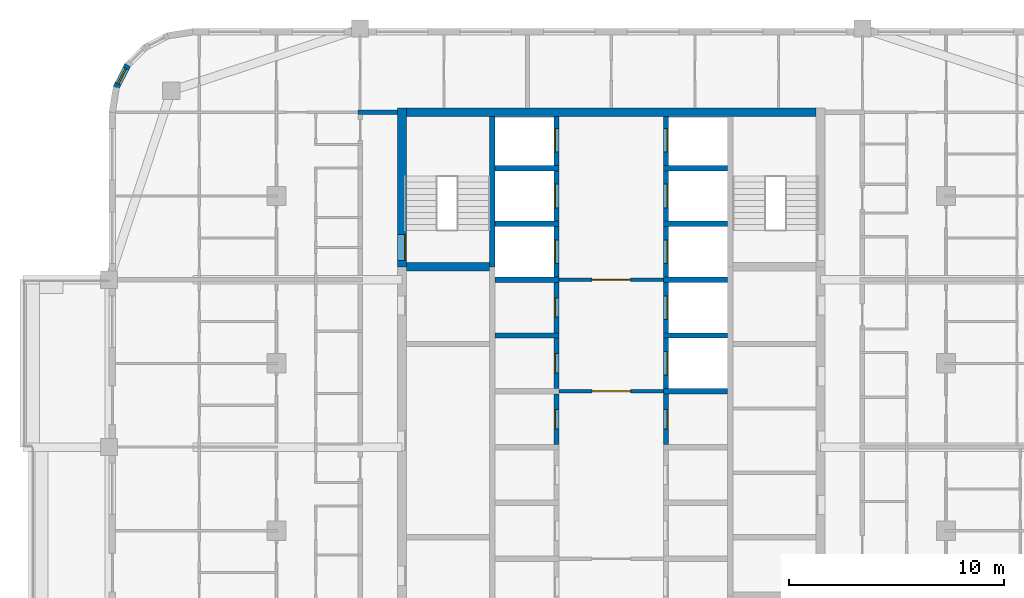
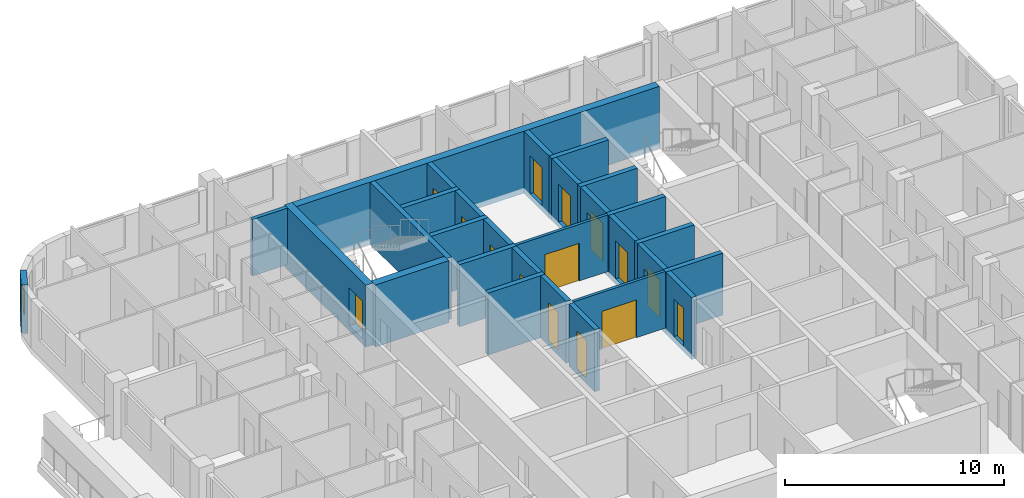
# One storey, part 9 of 15: 29 walls, 15 doors, 1 window, 16 openings.
"""IFC4 building model written with IfcOpenShell, lengths in metres."""

import ifcopenshell
import ifcopenshell.guid

model = None  # the IFC model being written
_history = None  # IfcOwnerHistory: only IFC2X3 demands one
_inside = {}  # id of a spatial element -> (the spatial element, [elements in it])
_under = {}  # id of a project, library or spatial element -> (it, [spatial elements below it])
_declared = {}  # id of a project -> (the project, [libraries it declares])
_typed = {}  # id of a type object -> (the type object, [elements of that type])
_made_of = {}  # id of a material, layer set ... -> (it, [elements and type objects made of it])


def new_model(schema):
    """Start an empty IFC model of exactly this schema.

    Asked for "IFC4X3", IfcOpenShell would pick the latest addendum, in which some entities
    have other attributes; the version numbers below select the first issue.
    IFC2X3 requires an IfcOwnerHistory on every rooted entity: one is made here for all.
    """
    global model, _history
    if schema == "IFC4X3":
        model = ifcopenshell.file(schema_version=(4, 3, 0, 0))
    else:
        model = ifcopenshell.file(schema=schema)
    _inside.clear()
    _under.clear()
    _declared.clear()
    _typed.clear()
    _made_of.clear()
    _history = None
    if model.schema == "IFC2X3":
        org = make("IfcOrganization", Name="unknown")
        user = make(
            "IfcPersonAndOrganization",
            ThePerson=make("IfcPerson", FamilyName="unknown"),
            TheOrganization=org,
        )
        app = make(
            "IfcApplication",
            ApplicationDeveloper=org,
            Version="unknown",
            ApplicationFullName="unknown",
            ApplicationIdentifier="unknown",
        )
        _history = make(
            "IfcOwnerHistory",
            OwningUser=user,
            OwningApplication=app,
            ChangeAction="ADDED",
            CreationDate=0,
        )
    return model


def make(cls, **values):
    """One entity of the class cls with the attributes given. An attribute that is None is left unset."""
    return model.create_entity(
        cls, **{name: value for name, value in values.items() if value is not None}
    )


def rooted(cls, **values):
    """An entity with a GlobalId (a new one), such as an element, a storey or a relation."""
    return make(cls, GlobalId=ifcopenshell.guid.new(), OwnerHistory=_history, **values)


def si_unit(unit_type, name, prefix=None):
    """IfcSIUnit, for example si_unit("LENGTHUNIT", "METRE", prefix="MILLI")."""
    return make("IfcSIUnit", UnitType=unit_type, Prefix=prefix, Name=name)


def assignment(units):
    """IfcUnitAssignment: the units of a project."""
    return None if units is None else make("IfcUnitAssignment", Units=units)


def point(xyz):
    """IfcCartesianPoint."""
    return None if xyz is None else make("IfcCartesianPoint", Coordinates=xyz)


def direction(xyz):
    """IfcDirection."""
    return None if xyz is None else make("IfcDirection", DirectionRatios=xyz)


def frame(location, z_axis=None, x_axis=None):
    """IfcAxis2Placement3D, a coordinate frame: its origin and axes. An axis left out is left unset."""
    return make(
        "IfcAxis2Placement3D",
        Location=point(location),
        Axis=direction(z_axis),
        RefDirection=direction(x_axis),
    )


def frame_2d(location, x_axis=None):
    """IfcAxis2Placement2D, a coordinate frame in the plane: its origin and x axis."""
    return make(
        "IfcAxis2Placement2D", Location=point(location), RefDirection=direction(x_axis)
    )


def origin():
    """The frame at (0, 0, 0) with its axes left unset."""
    return frame((0.0, 0.0, 0.0))


def place(relative_to, where):
    """IfcLocalPlacement: puts the frame where relative to a parent placement (None: the world)."""
    return make(
        "IfcLocalPlacement", PlacementRelTo=relative_to, RelativePlacement=where
    )


def context(
    kind, dimensions, precision=None, world=None, true_north=None, identifier=None
):
    """IfcGeometricRepresentationContext, for example the 3D "Model" context."""
    return make(
        "IfcGeometricRepresentationContext",
        ContextIdentifier=identifier,
        ContextType=kind,
        CoordinateSpaceDimension=dimensions,
        Precision=precision,
        WorldCoordinateSystem=world,
        TrueNorth=true_north,
    )


def subcontext(parent, identifier, kind, view, scale=None):
    """IfcGeometricRepresentationSubContext, for example "Body" below "Model"."""
    return make(
        "IfcGeometricRepresentationSubContext",
        ContextIdentifier=identifier,
        ContextType=kind,
        ParentContext=parent,
        TargetScale=scale,
        TargetView=view,
    )


def project(units=None, contexts=None):
    """IfcProject with its units and contexts."""
    return rooted(
        "IfcProject",
        Name="project",
        RepresentationContexts=contexts,
        UnitsInContext=assignment(units),
    )


def spatial(cls, under=None, at=None, **own):
    """A site, building, storey or space (cls), placed at a placement, below another one or the project."""
    s = rooted(cls, ObjectPlacement=at, **own)
    if under is not None:
        _under.setdefault(under.id(), (under, []))[1].append(s)
    return s


def profile(cls, at=None, kind="AREA", **sizes):
    """A parametric profile (cls). Its sizes go by their IFC names, for example OverallWidth=200.0."""
    return make(cls, ProfileType=kind, Position=at, **sizes)


def rectangle(**sizes):
    """IfcRectangleProfileDef."""
    return profile("IfcRectangleProfileDef", **sizes)


def extrude(swept, where, along, depth):
    """IfcExtrudedAreaSolid: the profile swept, set in the frame where, extruded along a direction by depth."""
    return make(
        "IfcExtrudedAreaSolid",
        SweptArea=swept,
        Position=where,
        ExtrudedDirection=direction(along),
        Depth=depth,
    )


def shape(context_of_items, identifier, shape_type, items):
    """IfcShapeRepresentation: the items that make up one representation, for example the "Body"."""
    return make(
        "IfcShapeRepresentation",
        ContextOfItems=context_of_items,
        RepresentationIdentifier=identifier,
        RepresentationType=shape_type,
        Items=items,
    )


def material(Name=None, Category=None):
    """IfcMaterial."""
    return make("IfcMaterial", Name=Name, Category=Category)


def layer(
    of_material, thickness, ventilated=None, Name=None, Category=None, Priority=None
):
    """IfcMaterialLayer: one layer of a wall or slab, of a material (None: an air gap)."""
    return make(
        "IfcMaterialLayer",
        Material=of_material,
        LayerThickness=thickness,
        IsVentilated=ventilated,
        Name=Name,
        Category=Category,
        Priority=Priority,
    )


def layer_set(layers, Name=None):
    """IfcMaterialLayerSet."""
    return make("IfcMaterialLayerSet", MaterialLayers=layers, LayerSetName=Name)


def made_of(thing, what):
    """Note that an element or type object is made of a material, layer set ...; save() writes the relation."""
    if what is not None:
        _made_of.setdefault(what.id(), (what, []))[1].append(thing)
    return thing


def type_object(cls, material=None, **own):
    """A type object (cls), such as IfcWallType, which elements share."""
    return made_of(rooted(cls, **own), material)


def element(
    cls,
    number,
    at=None,
    inside=None,
    cuts=None,
    type_object=None,
    material=None,
    context=None,
    identifier="Body",
    shape_type=None,
    held_by="IfcProductDefinitionShape",
    body=None,
    shapes=None,
    **own,
):
    """One element of the class cls, such as IfcWall. Its Tag is "e" and its number.

    at: its placement. inside: the storey or other place that contains it. cuts: it is an
    opening in that element (IfcRelVoidsElement). A single representation is given by context,
    identifier, shape_type and body (its items); several are given by shapes. held_by: the class
    of the entity that holds the representations. save() writes the other relations.
    """
    e = rooted(cls, Tag="e%d" % number, ObjectPlacement=at, **own)
    if body is not None:
        shapes = [shape(context, identifier, shape_type, body)]
    if shapes is not None:
        e.Representation = make(held_by, Representations=shapes)
    if inside is not None:
        _inside.setdefault(inside.id(), (inside, []))[1].append(e)
    if cuts is not None:
        rooted(
            "IfcRelVoidsElement", RelatingBuildingElement=cuts, RelatedOpeningElement=e
        )
    if type_object is not None:
        _typed.setdefault(type_object.id(), (type_object, []))[1].append(e)
    return made_of(e, material)


def fill(opening, filler):
    """IfcRelFillsElement: the door or window that sits in an opening."""
    return rooted(
        "IfcRelFillsElement",
        RelatingOpeningElement=opening,
        RelatedBuildingElement=filler,
    )


def aggregate(whole, parts):
    """IfcRelAggregates: a whole, such as a stair, and the parts it consists of."""
    return rooted("IfcRelAggregates", RelatingObject=whole, RelatedObjects=parts)


def save(model, path):
    """Write the relations noted so far, then the file.

    IfcRelAggregates (storeys below a building ...), IfcRelContainedInSpatialStructure (elements
    in a storey), IfcRelDefinesByType, IfcRelAssociatesMaterial and IfcRelDeclares: one each for
    every whole, place, type object, material and project.
    """
    for whole, parts in _under.values():
        aggregate(whole, parts)
    for where, things in _inside.values():
        rooted(
            "IfcRelContainedInSpatialStructure",
            RelatedElements=things,
            RelatingStructure=where,
        )
    for kind, things in _typed.values():
        rooted("IfcRelDefinesByType", RelatedObjects=things, RelatingType=kind)
    for what, things in _made_of.values():
        rooted("IfcRelAssociatesMaterial", RelatedObjects=things, RelatingMaterial=what)
    for by, libraries in _declared.values():
        rooted("IfcRelDeclares", RelatingContext=by, RelatedDefinitions=libraries)
    model.write(path)


model = new_model("IFC4")

# Units and contexts
model_context = context("Model", 3, precision=1e-05, world=origin(), true_north=direction((0.0, 1.0)))
body_context = subcontext(model_context, "Body", "Model", "MODEL_VIEW")
ifc_project = project(units=[si_unit("LENGTHUNIT", "METRE"), si_unit("AREAUNIT", "SQUARE_METRE"), si_unit("VOLUMEUNIT", "CUBIC_METRE"), si_unit("PLANEANGLEUNIT", "RADIAN"), si_unit("MASSUNIT", "GRAM", prefix="KILO")], contexts=[model_context])

# Site, building, storey
site_placement = place(None, origin())
site = spatial("IfcSite", under=ifc_project, at=site_placement, CompositionType="ELEMENT")
building_placement = place(site_placement, origin())
building = spatial("IfcBuilding", under=site, at=building_placement, Name="Ludao Terraces", CompositionType="ELEMENT")
storey_placement = place(building_placement, frame((0.0, 0.0, 197.300048828125)))
storey = spatial("IfcBuildingStorey", under=building, at=storey_placement, Name="L53", CompositionType="ELEMENT", Elevation=197.300048828125)

# Wall, opening, door
ifc_material_1 = material(Name="Concrete C50", Category="concrete")
ifc_layer_1 = layer(ifc_material_1, 0.39990234375)
ifc_layer_set_1 = layer_set([ifc_layer_1], Name="Core wall 400 C50")
wall_type_1 = type_object("IfcWallType", Name="Core wall 400 C50", PredefinedType="SOLIDWALL", material=ifc_layer_set_1)
wall_1_placement = place(storey_placement, frame((75.25, 77.300048828125, -0.300048828125), z_axis=(0.0, 0.0, 1.0), x_axis=(0.0, 1.0, 0.0)))
wall_1 = element("IfcWall", 1, at=wall_1_placement, inside=storey, type_object=wall_type_1, Name="Core wall L53 outer-W-S1", PredefinedType="SOLIDWALL", context=body_context, shape_type="SweptSolid", body=[
    extrude(rectangle(XDim=7.39990234375, YDim=0.39990234375, at=frame_2d((3.699951171875, 0.0))), origin(), (0.0, 0.0, 1.0), 3.449951171875),
])
opening_1_placement = place(wall_1_placement, frame((0.300048828125, 0.0, 0.300048828125)))
opening_1 = element("IfcOpeningElement", 2, at=opening_1_placement, cuts=wall_1, Name="Opening R19-114", PredefinedType="OPENING", context=body_context, shape_type="SweptSolid", body=[
    extrude(rectangle(XDim=1.199951171875, YDim=2.10009765625, at=frame_2d((0.60009765625, 1.050048828125))), frame((0.0, 0.2099609375, 0.0), z_axis=(0.0, -1.0, 0.0), x_axis=(1.0, 0.0, 0.0)), (0.0, 0.0, 1.0), 0.419921875),
])
ifc_material_2 = material(Name="Steel Q235", Category="steel")
door_type_1 = type_object("IfcDoorType", Name="INT Stair door 1200", OperationType="DOUBLE_DOOR_SINGLE_SWING", PredefinedType="DOOR", material=ifc_material_2)
door_1_placement = place(opening_1_placement, origin())
door_1 = element("IfcDoor", 3, at=door_1_placement, inside=storey, type_object=door_type_1, Name="DOOR 114", OperationType="DOUBLE_DOOR_SINGLE_SWING", OverallHeight=2.10009765625, OverallWidth=1.199951171875, PredefinedType="DOOR", context=body_context, shape_type="SweptSolid", body=[
    extrude(rectangle(XDim=1.199951171875, YDim=2.10009765625, at=frame_2d((0.60009765625, 1.050048828125))), frame((0.0, -0.134765625, 0.0), z_axis=(0.0, -1.0, 0.0), x_axis=(1.0, 0.0, 0.0)), (0.0, 0.0, 1.0), 0.050048828125),
])
fill(opening_1, door_1)

# Wall
wall_2_placement = place(storey_placement, frame((75.449951171875, 84.5, -0.300048828125), z_axis=(0.0, 0.0, 1.0), x_axis=(1.0, 0.0, 0.0)))
element("IfcWall", 4, at=wall_2_placement, inside=storey, type_object=wall_type_1, Name="Core wall L53 outer-N", PredefinedType="SOLIDWALL", context=body_context, shape_type="SweptSolid", body=[
    extrude(rectangle(XDim=19.10009765625, YDim=0.39990234375, at=frame_2d((9.550048828125, 0.0))), origin(), (0.0, 0.0, 1.0), 3.449951171875),
])

# Wall, opening, window
ifc_material_3 = material(Name="Granite cladding", Category="masonry")
ifc_layer_2 = layer(ifc_material_3, 0.0400390625, Category="stone")
ifc_material_4 = material(Name="Mineral wool")
ifc_layer_3 = layer(ifc_material_4, 0.06005859375)
ifc_material_5 = material(Name="Concrete C40", Category="concrete")
ifc_layer_4 = layer(ifc_material_5, 0.199951171875, Category="concrete")
ifc_layer_set_2 = layer_set([ifc_layer_2, ifc_layer_3, ifc_layer_4], Name="ENV Stone-clad wall 300")
wall_type_2 = type_object("IfcWallType", Name="ENV Stone-clad wall 300", PredefinedType="SOLIDWALL", material=ifc_layer_set_2)
wall_3_placement = place(storey_placement, frame((62.46630859375, 86.7041015625, 0.0), z_axis=(0.0, 0.0, 1.0), x_axis=(-0.454025524128, -0.890988677504, 0.0)))
wall_3 = element("IfcWall", 5, at=wall_3_placement, inside=storey, type_object=wall_type_2, Name="EW-L53-NW4", PredefinedType="SOLIDWALL", context=body_context, shape_type="SweptSolid", body=[
    extrude(rectangle(XDim=1.17333984375, YDim=0.300048828125, at=frame_2d((0.586669921875, 0.0))), origin(), (0.0, 0.0, 1.0), 2.699951171875),
])
opening_2_placement = place(wall_3_placement, frame((0.1865234375, 0.0, 0.89990234375)))
opening_2 = element("IfcOpeningElement", 6, at=opening_2_placement, cuts=wall_3, Name="Opening W3", PredefinedType="OPENING", context=body_context, shape_type="SweptSolid", body=[
    extrude(rectangle(XDim=0.800048828125, YDim=1.199951171875, at=frame_2d((0.39990234375, 0.60009765625))), frame((0.0, 0.16015625, 0.0), z_axis=(0.0, -1.0, 0.0), x_axis=(1.0, 0.0, 0.0)), (0.0, 0.0, 1.0), 0.320068359375),
])
ifc_material_6 = material(Name="Clear glass in aluminium frame", Category="aluminium")
ifc_layer_5 = layer(ifc_material_6, 0.06005859375)
ifc_layer_set_3 = layer_set([ifc_layer_5], Name="ENV Window W3 800x1200")
window_type = type_object("IfcWindowType", Name="ENV Window W3 800x1200", PartitioningType="SINGLE_PANEL", PredefinedType="WINDOW", material=ifc_layer_set_3)
window_placement = place(opening_2_placement, origin())
window = element("IfcWindow", 7, at=window_placement, inside=storey, type_object=window_type, Name="W-L53-NW4", OverallHeight=1.199951171875, OverallWidth=0.800048828125, PartitioningType="SINGLE_PANEL", PredefinedType="WINDOW", context=body_context, shape_type="SweptSolid", body=[
    extrude(rectangle(XDim=0.800048828125, YDim=1.199951171875, at=frame_2d((0.39990234375, 0.60009765625))), frame((0.0, 0.030029296875, 0.0), z_axis=(0.0, -1.0, 0.0), x_axis=(1.0, 0.0, 0.0)), (0.0, 0.0, 1.0), 0.06005859375),
])
fill(opening_2, window)

# Wall, opening, door
ifc_material_7 = material(Name="Fire-rated gypsum plasterboard", Category="gypsum")
ifc_layer_6 = layer(ifc_material_7, 0.012451171875, Category="gypsum")
ifc_layer_7 = layer(ifc_material_4, 0.10009765625, Name="insulation")
ifc_layer_8 = layer(ifc_material_2, 0.02490234375, Name="stud")
ifc_layer_9 = layer(ifc_material_7, 0.012451171875, Category="gypsum")
ifc_layer_set_4 = layer_set([ifc_layer_6, ifc_layer_7, ifc_layer_8, ifc_layer_9], Name="INT Core partition 150")
wall_type_3 = type_object("IfcWallType", Name="INT Core partition 150", PredefinedType="PARTITIONING", material=ifc_layer_set_4)
wall_4_placement = place(storey_placement, frame((82.5751953125, 71.5, 0.0), z_axis=(0.0, 0.0, 1.0), x_axis=(1.0, 0.0, 0.0)))
wall_4 = element("IfcWall", 8, at=wall_4_placement, inside=storey, type_object=wall_type_3, Name="PW-L53-PW047", PredefinedType="PARTITIONING", context=body_context, shape_type="SweptSolid", body=[
    extrude(rectangle(XDim=4.849853515625, YDim=0.14990234375, at=frame_2d((2.4248046875, 0.0))), origin(), (0.0, 0.0, 1.0), 3.14990234375),
])
opening_3_placement = place(wall_4_placement, frame((1.52490234375, 0.0, 0.0)))
opening_3 = element("IfcOpeningElement", 9, at=opening_3_placement, cuts=wall_4, Name="Opening R19-086", PredefinedType="OPENING", context=body_context, shape_type="SweptSolid", body=[
    extrude(rectangle(XDim=1.800048828125, YDim=2.10009765625, at=frame_2d((0.89990234375, 1.050048828125))), frame((0.0, 0.0849609375, 0.0), z_axis=(0.0, -1.0, 0.0), x_axis=(1.0, 0.0, 0.0)), (0.0, 0.0, 1.0), 0.169921875),
])
door_type_2 = type_object("IfcDoorType", Name="INT Fire lobby door 1800", OperationType="DOUBLE_DOOR_SINGLE_SWING", PredefinedType="DOOR", material=ifc_material_2)
door_2_placement = place(opening_3_placement, origin())
door_2 = element("IfcDoor", 10, at=door_2_placement, inside=storey, type_object=door_type_2, Name="DOOR 086", OperationType="DOUBLE_DOOR_SINGLE_SWING", OverallHeight=2.10009765625, OverallWidth=1.800048828125, PredefinedType="DOOR", context=body_context, shape_type="SweptSolid", body=[
    extrude(rectangle(XDim=1.800048828125, YDim=2.10009765625, at=frame_2d((0.89990234375, 1.050048828125))), frame((0.0, 0.02490234375, 0.0), z_axis=(0.0, -1.0, 0.0), x_axis=(1.0, 0.0, 0.0)), (0.0, 0.0, 1.0), 0.050048828125),
])
fill(opening_3, door_2)

wall_5_placement = place(storey_placement, frame((82.5751953125, 76.699951171875, 0.0), z_axis=(0.0, 0.0, 1.0), x_axis=(1.0, 0.0, 0.0)))
wall_5 = element("IfcWall", 11, at=wall_5_placement, inside=storey, type_object=wall_type_3, Name="PW-L53-PW056", PredefinedType="PARTITIONING", context=body_context, shape_type="SweptSolid", body=[
    extrude(rectangle(XDim=4.849853515625, YDim=0.14990234375, at=frame_2d((2.4248046875, 0.0))), origin(), (0.0, 0.0, 1.0), 3.14990234375),
])
opening_4_placement = place(wall_5_placement, frame((1.52490234375, 0.0, 0.0)))
opening_4 = element("IfcOpeningElement", 12, at=opening_4_placement, cuts=wall_5, Name="Opening R19-107", PredefinedType="OPENING", context=body_context, shape_type="SweptSolid", body=[
    extrude(rectangle(XDim=1.800048828125, YDim=2.10009765625, at=frame_2d((0.89990234375, 1.050048828125))), frame((0.0, 0.0849609375, 0.0), z_axis=(0.0, -1.0, 0.0), x_axis=(1.0, 0.0, 0.0)), (0.0, 0.0, 1.0), 0.169921875),
])
door_3_placement = place(opening_4_placement, origin())
door_3 = element("IfcDoor", 13, at=door_3_placement, inside=storey, type_object=door_type_2, Name="DOOR 107", OperationType="DOUBLE_DOOR_SINGLE_SWING", OverallHeight=2.10009765625, OverallWidth=1.800048828125, PredefinedType="DOOR", context=body_context, shape_type="SweptSolid", body=[
    extrude(rectangle(XDim=1.800048828125, YDim=2.10009765625, at=frame_2d((0.89990234375, 1.050048828125))), frame((0.0, 0.02490234375, 0.0), z_axis=(0.0, -1.0, 0.0), x_axis=(1.0, 0.0, 0.0)), (0.0, 0.0, 1.0), 0.050048828125),
])
fill(opening_4, door_3)

# Walls
ifc_material_8 = material(Name="Autoclaved aerated concrete block B06 A3.5", Category="concrete")
ifc_layer_10 = layer(ifc_material_8, 0.199951171875)
ifc_layer_set_5 = layer_set([ifc_layer_10], Name="INT Entrance wall 200")
wall_type_4 = type_object("IfcWallType", Name="INT Entrance wall 200", PredefinedType="PARTITIONING", material=ifc_layer_set_5)
wall_6_placement = place(storey_placement, frame((73.2001953125, 84.5, 0.0), z_axis=(0.0, 0.0, 1.0), x_axis=(1.0, 0.0, 0.0)))
element("IfcWall", 14, at=wall_6_placement, inside=storey, type_object=wall_type_4, Name="PW-L53-PW072", PredefinedType="PARTITIONING", context=body_context, shape_type="SweptSolid", body=[
    extrude(rectangle(XDim=1.849853515625, YDim=0.199951171875, at=frame_2d((0.9248046875, 0.0))), origin(), (0.0, 0.0, 1.0), 3.14990234375),
])
ifc_layer_11 = layer(ifc_material_1, 0.25)
ifc_layer_set_6 = layer_set([ifc_layer_11], Name="Shaft wall 250 C50")
wall_type_5 = type_object("IfcWallType", Name="Shaft wall 250 C50", PredefinedType="SOLIDWALL", material=ifc_layer_set_6)
wall_7_placement = place(storey_placement, frame((79.449951171875, 77.300048828125, -0.300048828125), z_axis=(0.0, 0.0, 1.0), x_axis=(0.0, 1.0, 0.0)))
element("IfcWall", 15, at=wall_7_placement, inside=storey, type_object=wall_type_5, Name="Core wall L53 back-W-S1", PredefinedType="SOLIDWALL", context=body_context, shape_type="SweptSolid", body=[
    extrude(rectangle(XDim=7.0, YDim=0.25, at=frame_2d((3.5, 0.0))), origin(), (0.0, 0.0, 1.0), 3.449951171875),
])

# Wall, opening, door
wall_8_placement = place(storey_placement, frame((82.449951171875, 69.02490234375, -0.300048828125), z_axis=(0.0, 0.0, 1.0), x_axis=(0.0, 1.0, 0.0)))
wall_8 = element("IfcWall", 16, at=wall_8_placement, inside=storey, type_object=wall_type_5, Name="Core wall L53 front-W4", PredefinedType="SOLIDWALL", context=body_context, shape_type="SweptSolid", body=[
    extrude(rectangle(XDim=2.35009765625, YDim=0.25, at=frame_2d((1.175048828125, 0.0))), origin(), (0.0, 0.0, 1.0), 3.449951171875),
])
opening_5_placement = place(wall_8_placement, frame((0.72509765625, 0.0, 0.300048828125)))
opening_5 = element("IfcOpeningElement", 17, at=opening_5_placement, cuts=wall_8, Name="Opening R19-081", PredefinedType="OPENING", context=body_context, shape_type="SweptSolid", body=[
    extrude(rectangle(XDim=0.89990234375, YDim=2.10009765625, at=frame_2d((0.449951171875, 1.050048828125))), frame((0.0, 0.135009765625, 0.0), z_axis=(0.0, -1.0, 0.0), x_axis=(1.0, 0.0, 0.0)), (0.0, 0.0, 1.0), 0.27001953125),
])
ifc_material_9 = material(Name="Timber door leaf", Category="wood")
door_type_3 = type_object("IfcDoorType", Name="INT Room door 900", OperationType="SINGLE_SWING_LEFT", PredefinedType="DOOR", material=ifc_material_9)
door_4_placement = place(opening_5_placement, origin())
door_4 = element("IfcDoor", 18, at=door_4_placement, inside=storey, type_object=door_type_3, Name="DOOR 081", OperationType="SINGLE_SWING_RIGHT", OverallHeight=2.10009765625, OverallWidth=0.89990234375, PredefinedType="DOOR", context=body_context, shape_type="SweptSolid", body=[
    extrude(rectangle(XDim=0.89990234375, YDim=2.10009765625, at=frame_2d((0.449951171875, 1.050048828125))), frame((0.0, 0.10986328125, 0.0), z_axis=(0.0, -1.0, 0.0), x_axis=(1.0, 0.0, 0.0)), (0.0, 0.0, 1.0), 0.050048828125),
])
fill(opening_5, door_4)

wall_9_placement = place(storey_placement, frame((82.449951171875, 71.625, -0.300048828125), z_axis=(0.0, 0.0, 1.0), x_axis=(0.0, 1.0, 0.0)))
wall_9 = element("IfcWall", 19, at=wall_9_placement, inside=storey, type_object=wall_type_5, Name="Core wall L53 front-W5", PredefinedType="SOLIDWALL", context=body_context, shape_type="SweptSolid", body=[
    extrude(rectangle(XDim=2.35009765625, YDim=0.25, at=frame_2d((1.175048828125, 0.0))), origin(), (0.0, 0.0, 1.0), 3.449951171875),
])
opening_6_placement = place(wall_9_placement, frame((0.72509765625, 0.0, 0.300048828125)))
opening_6 = element("IfcOpeningElement", 20, at=opening_6_placement, cuts=wall_9, Name="Opening R19-091", PredefinedType="OPENING", context=body_context, shape_type="SweptSolid", body=[
    extrude(rectangle(XDim=0.89990234375, YDim=2.10009765625, at=frame_2d((0.449951171875, 1.050048828125))), frame((0.0, 0.135009765625, 0.0), z_axis=(0.0, -1.0, 0.0), x_axis=(1.0, 0.0, 0.0)), (0.0, 0.0, 1.0), 0.27001953125),
])
door_5_placement = place(opening_6_placement, origin())
door_5 = element("IfcDoor", 21, at=door_5_placement, inside=storey, type_object=door_type_3, Name="DOOR 091", OperationType="SINGLE_SWING_LEFT", OverallHeight=2.10009765625, OverallWidth=0.89990234375, PredefinedType="DOOR", context=body_context, shape_type="SweptSolid", body=[
    extrude(rectangle(XDim=0.89990234375, YDim=2.10009765625, at=frame_2d((0.449951171875, 1.050048828125))), frame((0.0, 0.10986328125, 0.0), z_axis=(0.0, -1.0, 0.0), x_axis=(1.0, 0.0, 0.0)), (0.0, 0.0, 1.0), 0.050048828125),
])
fill(opening_6, door_5)

# Wall
wall_10_placement = place(storey_placement, frame((79.574951171875, 74.10009765625, -0.300048828125), z_axis=(0.0, 0.0, 1.0), x_axis=(1.0, 0.0, 0.0)))
element("IfcWall", 22, at=wall_10_placement, inside=storey, type_object=wall_type_5, Name="Core wall L53 div-W6", PredefinedType="SOLIDWALL", context=body_context, shape_type="SweptSolid", body=[
    extrude(rectangle(XDim=3.0, YDim=0.25, at=frame_2d((1.5, 0.0))), origin(), (0.0, 0.0, 1.0), 3.449951171875),
])

# Wall, opening, door
wall_11_placement = place(storey_placement, frame((82.449951171875, 74.22509765625, -0.300048828125), z_axis=(0.0, 0.0, 1.0), x_axis=(0.0, 1.0, 0.0)))
wall_11 = element("IfcWall", 23, at=wall_11_placement, inside=storey, type_object=wall_type_5, Name="Core wall L53 front-W6", PredefinedType="SOLIDWALL", context=body_context, shape_type="SweptSolid", body=[
    extrude(rectangle(XDim=2.349853515625, YDim=0.25, at=frame_2d((1.1748046875, 0.0))), origin(), (0.0, 0.0, 1.0), 3.449951171875),
])
opening_7_placement = place(wall_11_placement, frame((0.72509765625, 0.0, 0.300048828125)))
opening_7 = element("IfcOpeningElement", 24, at=opening_7_placement, cuts=wall_11, Name="Opening R19-097", PredefinedType="OPENING", context=body_context, shape_type="SweptSolid", body=[
    extrude(rectangle(XDim=0.89990234375, YDim=2.10009765625, at=frame_2d((0.449951171875, 1.050048828125))), frame((0.0, 0.135009765625, 0.0), z_axis=(0.0, -1.0, 0.0), x_axis=(1.0, 0.0, 0.0)), (0.0, 0.0, 1.0), 0.27001953125),
])
door_6_placement = place(opening_7_placement, origin())
door_6 = element("IfcDoor", 25, at=door_6_placement, inside=storey, type_object=door_type_3, Name="DOOR 097", OperationType="SINGLE_SWING_LEFT", OverallHeight=2.10009765625, OverallWidth=0.89990234375, PredefinedType="DOOR", context=body_context, shape_type="SweptSolid", body=[
    extrude(rectangle(XDim=0.89990234375, YDim=2.10009765625, at=frame_2d((0.449951171875, 1.050048828125))), frame((0.0, 0.10986328125, 0.0), z_axis=(0.0, -1.0, 0.0), x_axis=(1.0, 0.0, 0.0)), (0.0, 0.0, 1.0), 0.050048828125),
])
fill(opening_7, door_6)

# Wall
wall_12_placement = place(storey_placement, frame((79.574951171875, 76.699951171875, -0.300048828125), z_axis=(0.0, 0.0, 1.0), x_axis=(1.0, 0.0, 0.0)))
element("IfcWall", 26, at=wall_12_placement, inside=storey, type_object=wall_type_5, Name="Core wall L53 div-W7", PredefinedType="SOLIDWALL", context=body_context, shape_type="SweptSolid", body=[
    extrude(rectangle(XDim=3.0, YDim=0.25, at=frame_2d((1.5, 0.0))), origin(), (0.0, 0.0, 1.0), 3.449951171875),
])

# Wall, opening, door
wall_13_placement = place(storey_placement, frame((82.449951171875, 76.824951171875, -0.300048828125), z_axis=(0.0, 0.0, 1.0), x_axis=(0.0, 1.0, 0.0)))
wall_13 = element("IfcWall", 27, at=wall_13_placement, inside=storey, type_object=wall_type_5, Name="Core wall L53 front-W7", PredefinedType="SOLIDWALL", context=body_context, shape_type="SweptSolid", body=[
    extrude(rectangle(XDim=2.35009765625, YDim=0.25, at=frame_2d((1.175048828125, 0.0))), origin(), (0.0, 0.0, 1.0), 3.449951171875),
])
opening_8_placement = place(wall_13_placement, frame((0.625, 0.0, 0.300048828125)))
opening_8 = element("IfcOpeningElement", 28, at=opening_8_placement, cuts=wall_13, Name="Opening LD-FF1", PredefinedType="OPENING", context=body_context, shape_type="SweptSolid", body=[
    extrude(rectangle(XDim=1.10009765625, YDim=2.10009765625, at=frame_2d((0.550048828125, 1.050048828125))), frame((0.0, 0.135009765625, 0.0), z_axis=(0.0, -1.0, 0.0), x_axis=(1.0, 0.0, 0.0)), (0.0, 0.0, 1.0), 0.27001953125),
])
ifc_material_10 = material(Name="Stainless steel 304", Category="steel")
door_type_4 = type_object("IfcDoorType", Name="INT Lift landing door 1100", OperationType="SLIDING_TO_LEFT", PredefinedType="DOOR", material=ifc_material_10)
door_7_placement = place(opening_8_placement, origin())
door_7 = element("IfcDoor", 29, at=door_7_placement, inside=storey, type_object=door_type_4, Name="LANDING DOOR FF1 L53", OperationType="SLIDING_TO_LEFT", OverallHeight=2.10009765625, OverallWidth=1.10009765625, PredefinedType="DOOR", context=body_context, shape_type="SweptSolid", body=[
    extrude(rectangle(XDim=1.10009765625, YDim=2.10009765625, at=frame_2d((0.550048828125, 1.050048828125))), frame((0.0, 0.10986328125, 0.0), z_axis=(0.0, -1.0, 0.0), x_axis=(1.0, 0.0, 0.0)), (0.0, 0.0, 1.0), 0.050048828125),
])
fill(opening_8, door_7)

# Wall
wall_14_placement = place(storey_placement, frame((79.574951171875, 79.300048828125, -0.300048828125), z_axis=(0.0, 0.0, 1.0), x_axis=(1.0, 0.0, 0.0)))
element("IfcWall", 30, at=wall_14_placement, inside=storey, type_object=wall_type_5, Name="Core wall L53 div-W8", PredefinedType="SOLIDWALL", context=body_context, shape_type="SweptSolid", body=[
    extrude(rectangle(XDim=3.0, YDim=0.25, at=frame_2d((1.5, 0.0))), origin(), (0.0, 0.0, 1.0), 3.449951171875),
])

# Wall, opening, door
wall_15_placement = place(storey_placement, frame((82.449951171875, 79.425048828125, -0.300048828125), z_axis=(0.0, 0.0, 1.0), x_axis=(0.0, 1.0, 0.0)))
wall_15 = element("IfcWall", 31, at=wall_15_placement, inside=storey, type_object=wall_type_5, Name="Core wall L53 front-W8", PredefinedType="SOLIDWALL", context=body_context, shape_type="SweptSolid", body=[
    extrude(rectangle(XDim=2.349853515625, YDim=0.25, at=frame_2d((1.1748046875, 0.0))), origin(), (0.0, 0.0, 1.0), 3.449951171875),
])
opening_9_placement = place(wall_15_placement, frame((0.625, 0.0, 0.300048828125)))
opening_9 = element("IfcOpeningElement", 32, at=opening_9_placement, cuts=wall_15, Name="Opening LD-FF2", PredefinedType="OPENING", context=body_context, shape_type="SweptSolid", body=[
    extrude(rectangle(XDim=1.10009765625, YDim=2.10009765625, at=frame_2d((0.550048828125, 1.050048828125))), frame((0.0, 0.135009765625, 0.0), z_axis=(0.0, -1.0, 0.0), x_axis=(1.0, 0.0, 0.0)), (0.0, 0.0, 1.0), 0.27001953125),
])
door_8_placement = place(opening_9_placement, origin())
door_8 = element("IfcDoor", 33, at=door_8_placement, inside=storey, type_object=door_type_4, Name="LANDING DOOR FF2 L53", OperationType="SLIDING_TO_LEFT", OverallHeight=2.10009765625, OverallWidth=1.10009765625, PredefinedType="DOOR", context=body_context, shape_type="SweptSolid", body=[
    extrude(rectangle(XDim=1.10009765625, YDim=2.10009765625, at=frame_2d((0.550048828125, 1.050048828125))), frame((0.0, 0.10986328125, 0.0), z_axis=(0.0, -1.0, 0.0), x_axis=(1.0, 0.0, 0.0)), (0.0, 0.0, 1.0), 0.050048828125),
])
fill(opening_9, door_8)

# Wall
wall_16_placement = place(storey_placement, frame((79.574951171875, 81.89990234375, -0.300048828125), z_axis=(0.0, 0.0, 1.0), x_axis=(1.0, 0.0, 0.0)))
element("IfcWall", 34, at=wall_16_placement, inside=storey, type_object=wall_type_5, Name="Core wall L53 div-W9", PredefinedType="SOLIDWALL", context=body_context, shape_type="SweptSolid", body=[
    extrude(rectangle(XDim=3.0, YDim=0.25, at=frame_2d((1.5, 0.0))), origin(), (0.0, 0.0, 1.0), 3.449951171875),
])

# Wall, opening, door
wall_17_placement = place(storey_placement, frame((82.449951171875, 82.02490234375, -0.300048828125), z_axis=(0.0, 0.0, 1.0), x_axis=(0.0, 1.0, 0.0)))
wall_17 = element("IfcWall", 35, at=wall_17_placement, inside=storey, type_object=wall_type_5, Name="Core wall L53 front-W9", PredefinedType="SOLIDWALL", context=body_context, shape_type="SweptSolid", body=[
    extrude(rectangle(XDim=2.275146484375, YDim=0.25, at=frame_2d((1.1376953125, 0.0))), origin(), (0.0, 0.0, 1.0), 3.449951171875),
])
opening_10_placement = place(wall_17_placement, frame((0.625, 0.0, 0.300048828125)))
opening_10 = element("IfcOpeningElement", 36, at=opening_10_placement, cuts=wall_17, Name="Opening LD-LB6", PredefinedType="OPENING", context=body_context, shape_type="SweptSolid", body=[
    extrude(rectangle(XDim=1.10009765625, YDim=2.10009765625, at=frame_2d((0.550048828125, 1.050048828125))), frame((0.0, 0.135009765625, 0.0), z_axis=(0.0, -1.0, 0.0), x_axis=(1.0, 0.0, 0.0)), (0.0, 0.0, 1.0), 0.27001953125),
])
door_9_placement = place(opening_10_placement, origin())
door_9 = element("IfcDoor", 37, at=door_9_placement, inside=storey, type_object=door_type_4, Name="LANDING DOOR LB6 L53", OperationType="SLIDING_TO_RIGHT", OverallHeight=2.10009765625, OverallWidth=1.10009765625, PredefinedType="DOOR", context=body_context, shape_type="SweptSolid", body=[
    extrude(rectangle(XDim=1.10009765625, YDim=2.10009765625, at=frame_2d((0.550048828125, 1.050048828125))), frame((0.0, 0.10986328125, 0.0), z_axis=(0.0, -1.0, 0.0), x_axis=(1.0, 0.0, 0.0)), (0.0, 0.0, 1.0), 0.050048828125),
])
fill(opening_10, door_9)

wall_18_placement = place(storey_placement, frame((87.550048828125, 69.02490234375, -0.300048828125), z_axis=(0.0, 0.0, 1.0), x_axis=(0.0, 1.0, 0.0)))
wall_18 = element("IfcWall", 38, at=wall_18_placement, inside=storey, type_object=wall_type_5, Name="Core wall L53 front-E4", PredefinedType="SOLIDWALL", context=body_context, shape_type="SweptSolid", body=[
    extrude(rectangle(XDim=2.35009765625, YDim=0.25, at=frame_2d((1.175048828125, 0.0))), origin(), (0.0, 0.0, 1.0), 3.449951171875),
])
opening_11_placement = place(wall_18_placement, frame((0.72509765625, 0.0, 0.300048828125)))
opening_11 = element("IfcOpeningElement", 39, at=opening_11_placement, cuts=wall_18, Name="Opening R19-082", PredefinedType="OPENING", context=body_context, shape_type="SweptSolid", body=[
    extrude(rectangle(XDim=0.89990234375, YDim=2.10009765625, at=frame_2d((0.449951171875, 1.050048828125))), frame((0.0, 0.135009765625, 0.0), z_axis=(0.0, -1.0, 0.0), x_axis=(1.0, 0.0, 0.0)), (0.0, 0.0, 1.0), 0.27001953125),
])
door_10_placement = place(opening_11_placement, origin())
door_10 = element("IfcDoor", 40, at=door_10_placement, inside=storey, type_object=door_type_3, Name="DOOR 082", OperationType="SINGLE_SWING_LEFT", OverallHeight=2.10009765625, OverallWidth=0.89990234375, PredefinedType="DOOR", context=body_context, shape_type="SweptSolid", body=[
    extrude(rectangle(XDim=0.89990234375, YDim=2.10009765625, at=frame_2d((0.449951171875, 1.050048828125))), frame((0.0, -0.06005859375, 0.0), z_axis=(0.0, -1.0, 0.0), x_axis=(1.0, 0.0, 0.0)), (0.0, 0.0, 1.0), 0.050048828125),
])
fill(opening_11, door_10)

# Wall
wall_19_placement = place(storey_placement, frame((87.425048828125, 71.5, -0.300048828125), z_axis=(0.0, 0.0, 1.0), x_axis=(1.0, 0.0, 0.0)))
element("IfcWall", 41, at=wall_19_placement, inside=storey, type_object=wall_type_5, Name="Core wall L53 div-E5", PredefinedType="SOLIDWALL", context=body_context, shape_type="SweptSolid", body=[
    extrude(rectangle(XDim=3.0, YDim=0.25, at=frame_2d((1.5, 0.0))), origin(), (0.0, 0.0, 1.0), 3.449951171875),
])

# Wall, opening, door
wall_20_placement = place(storey_placement, frame((87.550048828125, 71.625, -0.300048828125), z_axis=(0.0, 0.0, 1.0), x_axis=(0.0, 1.0, 0.0)))
wall_20 = element("IfcWall", 42, at=wall_20_placement, inside=storey, type_object=wall_type_5, Name="Core wall L53 front-E5", PredefinedType="SOLIDWALL", context=body_context, shape_type="SweptSolid", body=[
    extrude(rectangle(XDim=2.35009765625, YDim=0.25, at=frame_2d((1.175048828125, 0.0))), origin(), (0.0, 0.0, 1.0), 3.449951171875),
])
opening_12_placement = place(wall_20_placement, frame((0.625, 0.0, 0.300048828125)))
opening_12 = element("IfcOpeningElement", 43, at=opening_12_placement, cuts=wall_20, Name="Opening LD-LB1", PredefinedType="OPENING", context=body_context, shape_type="SweptSolid", body=[
    extrude(rectangle(XDim=1.10009765625, YDim=2.10009765625, at=frame_2d((0.550048828125, 1.050048828125))), frame((0.0, 0.135009765625, 0.0), z_axis=(0.0, -1.0, 0.0), x_axis=(1.0, 0.0, 0.0)), (0.0, 0.0, 1.0), 0.27001953125),
])
door_11_placement = place(opening_12_placement, origin())
door_11 = element("IfcDoor", 44, at=door_11_placement, inside=storey, type_object=door_type_4, Name="LANDING DOOR LB1 L53", OperationType="SLIDING_TO_LEFT", OverallHeight=2.10009765625, OverallWidth=1.10009765625, PredefinedType="DOOR", context=body_context, shape_type="SweptSolid", body=[
    extrude(rectangle(XDim=1.10009765625, YDim=2.10009765625, at=frame_2d((0.550048828125, 1.050048828125))), frame((0.0, -0.06005859375, 0.0), z_axis=(0.0, -1.0, 0.0), x_axis=(1.0, 0.0, 0.0)), (0.0, 0.0, 1.0), 0.050048828125),
])
fill(opening_12, door_11)

# Wall
wall_21_placement = place(storey_placement, frame((87.425048828125, 74.10009765625, -0.300048828125), z_axis=(0.0, 0.0, 1.0), x_axis=(1.0, 0.0, 0.0)))
element("IfcWall", 45, at=wall_21_placement, inside=storey, type_object=wall_type_5, Name="Core wall L53 div-E6", PredefinedType="SOLIDWALL", context=body_context, shape_type="SweptSolid", body=[
    extrude(rectangle(XDim=3.0, YDim=0.25, at=frame_2d((1.5, 0.0))), origin(), (0.0, 0.0, 1.0), 3.449951171875),
])

# Wall, opening, door
wall_22_placement = place(storey_placement, frame((87.550048828125, 74.22509765625, -0.300048828125), z_axis=(0.0, 0.0, 1.0), x_axis=(0.0, 1.0, 0.0)))
wall_22 = element("IfcWall", 46, at=wall_22_placement, inside=storey, type_object=wall_type_5, Name="Core wall L53 front-E6", PredefinedType="SOLIDWALL", context=body_context, shape_type="SweptSolid", body=[
    extrude(rectangle(XDim=2.349853515625, YDim=0.25, at=frame_2d((1.1748046875, 0.0))), origin(), (0.0, 0.0, 1.0), 3.449951171875),
])
opening_13_placement = place(wall_22_placement, frame((0.625, 0.0, 0.300048828125)))
opening_13 = element("IfcOpeningElement", 47, at=opening_13_placement, cuts=wall_22, Name="Opening LD-LB2", PredefinedType="OPENING", context=body_context, shape_type="SweptSolid", body=[
    extrude(rectangle(XDim=1.10009765625, YDim=2.10009765625, at=frame_2d((0.550048828125, 1.050048828125))), frame((0.0, 0.135009765625, 0.0), z_axis=(0.0, -1.0, 0.0), x_axis=(1.0, 0.0, 0.0)), (0.0, 0.0, 1.0), 0.27001953125),
])
door_12_placement = place(opening_13_placement, origin())
door_12 = element("IfcDoor", 48, at=door_12_placement, inside=storey, type_object=door_type_4, Name="LANDING DOOR LB2 L53", OperationType="SLIDING_TO_LEFT", OverallHeight=2.10009765625, OverallWidth=1.10009765625, PredefinedType="DOOR", context=body_context, shape_type="SweptSolid", body=[
    extrude(rectangle(XDim=1.10009765625, YDim=2.10009765625, at=frame_2d((0.550048828125, 1.050048828125))), frame((0.0, -0.06005859375, 0.0), z_axis=(0.0, -1.0, 0.0), x_axis=(1.0, 0.0, 0.0)), (0.0, 0.0, 1.0), 0.050048828125),
])
fill(opening_13, door_12)

# Wall
wall_23_placement = place(storey_placement, frame((87.425048828125, 76.699951171875, -0.300048828125), z_axis=(0.0, 0.0, 1.0), x_axis=(1.0, 0.0, 0.0)))
element("IfcWall", 49, at=wall_23_placement, inside=storey, type_object=wall_type_5, Name="Core wall L53 div-E7", PredefinedType="SOLIDWALL", context=body_context, shape_type="SweptSolid", body=[
    extrude(rectangle(XDim=3.0, YDim=0.25, at=frame_2d((1.5, 0.0))), origin(), (0.0, 0.0, 1.0), 3.449951171875),
])

# Wall, opening, door
wall_24_placement = place(storey_placement, frame((87.550048828125, 76.824951171875, -0.300048828125), z_axis=(0.0, 0.0, 1.0), x_axis=(0.0, 1.0, 0.0)))
wall_24 = element("IfcWall", 50, at=wall_24_placement, inside=storey, type_object=wall_type_5, Name="Core wall L53 front-E7", PredefinedType="SOLIDWALL", context=body_context, shape_type="SweptSolid", body=[
    extrude(rectangle(XDim=2.35009765625, YDim=0.25, at=frame_2d((1.175048828125, 0.0))), origin(), (0.0, 0.0, 1.0), 3.449951171875),
])
opening_14_placement = place(wall_24_placement, frame((0.625, 0.0, 0.300048828125)))
opening_14 = element("IfcOpeningElement", 51, at=opening_14_placement, cuts=wall_24, Name="Opening LD-LB3", PredefinedType="OPENING", context=body_context, shape_type="SweptSolid", body=[
    extrude(rectangle(XDim=1.10009765625, YDim=2.10009765625, at=frame_2d((0.550048828125, 1.050048828125))), frame((0.0, 0.135009765625, 0.0), z_axis=(0.0, -1.0, 0.0), x_axis=(1.0, 0.0, 0.0)), (0.0, 0.0, 1.0), 0.27001953125),
])
door_13_placement = place(opening_14_placement, origin())
door_13 = element("IfcDoor", 52, at=door_13_placement, inside=storey, type_object=door_type_4, Name="LANDING DOOR LB3 L53", OperationType="SLIDING_TO_LEFT", OverallHeight=2.10009765625, OverallWidth=1.10009765625, PredefinedType="DOOR", context=body_context, shape_type="SweptSolid", body=[
    extrude(rectangle(XDim=1.10009765625, YDim=2.10009765625, at=frame_2d((0.550048828125, 1.050048828125))), frame((0.0, -0.06005859375, 0.0), z_axis=(0.0, -1.0, 0.0), x_axis=(1.0, 0.0, 0.0)), (0.0, 0.0, 1.0), 0.050048828125),
])
fill(opening_14, door_13)

# Wall
wall_25_placement = place(storey_placement, frame((87.425048828125, 79.300048828125, -0.300048828125), z_axis=(0.0, 0.0, 1.0), x_axis=(1.0, 0.0, 0.0)))
element("IfcWall", 53, at=wall_25_placement, inside=storey, type_object=wall_type_5, Name="Core wall L53 div-E8", PredefinedType="SOLIDWALL", context=body_context, shape_type="SweptSolid", body=[
    extrude(rectangle(XDim=3.0, YDim=0.25, at=frame_2d((1.5, 0.0))), origin(), (0.0, 0.0, 1.0), 3.449951171875),
])

# Wall, opening, door
wall_26_placement = place(storey_placement, frame((87.550048828125, 79.425048828125, -0.300048828125), z_axis=(0.0, 0.0, 1.0), x_axis=(0.0, 1.0, 0.0)))
wall_26 = element("IfcWall", 54, at=wall_26_placement, inside=storey, type_object=wall_type_5, Name="Core wall L53 front-E8", PredefinedType="SOLIDWALL", context=body_context, shape_type="SweptSolid", body=[
    extrude(rectangle(XDim=2.349853515625, YDim=0.25, at=frame_2d((1.1748046875, 0.0))), origin(), (0.0, 0.0, 1.0), 3.449951171875),
])
opening_15_placement = place(wall_26_placement, frame((0.625, 0.0, 0.300048828125)))
opening_15 = element("IfcOpeningElement", 55, at=opening_15_placement, cuts=wall_26, Name="Opening LD-LB4", PredefinedType="OPENING", context=body_context, shape_type="SweptSolid", body=[
    extrude(rectangle(XDim=1.10009765625, YDim=2.10009765625, at=frame_2d((0.550048828125, 1.050048828125))), frame((0.0, 0.135009765625, 0.0), z_axis=(0.0, -1.0, 0.0), x_axis=(1.0, 0.0, 0.0)), (0.0, 0.0, 1.0), 0.27001953125),
])
door_14_placement = place(opening_15_placement, origin())
door_14 = element("IfcDoor", 56, at=door_14_placement, inside=storey, type_object=door_type_4, Name="LANDING DOOR LB4 L53", OperationType="SLIDING_TO_RIGHT", OverallHeight=2.10009765625, OverallWidth=1.10009765625, PredefinedType="DOOR", context=body_context, shape_type="SweptSolid", body=[
    extrude(rectangle(XDim=1.10009765625, YDim=2.10009765625, at=frame_2d((0.550048828125, 1.050048828125))), frame((0.0, -0.06005859375, 0.0), z_axis=(0.0, -1.0, 0.0), x_axis=(1.0, 0.0, 0.0)), (0.0, 0.0, 1.0), 0.050048828125),
])
fill(opening_15, door_14)

# Wall
wall_27_placement = place(storey_placement, frame((87.425048828125, 81.89990234375, -0.300048828125), z_axis=(0.0, 0.0, 1.0), x_axis=(1.0, 0.0, 0.0)))
element("IfcWall", 57, at=wall_27_placement, inside=storey, type_object=wall_type_5, Name="Core wall L53 div-E9", PredefinedType="SOLIDWALL", context=body_context, shape_type="SweptSolid", body=[
    extrude(rectangle(XDim=3.0, YDim=0.25, at=frame_2d((1.5, 0.0))), origin(), (0.0, 0.0, 1.0), 3.449951171875),
])

# Wall, opening, door
wall_28_placement = place(storey_placement, frame((87.550048828125, 82.02490234375, -0.300048828125), z_axis=(0.0, 0.0, 1.0), x_axis=(0.0, 1.0, 0.0)))
wall_28 = element("IfcWall", 58, at=wall_28_placement, inside=storey, type_object=wall_type_5, Name="Core wall L53 front-E9", PredefinedType="SOLIDWALL", context=body_context, shape_type="SweptSolid", body=[
    extrude(rectangle(XDim=2.275146484375, YDim=0.25, at=frame_2d((1.1376953125, 0.0))), origin(), (0.0, 0.0, 1.0), 3.449951171875),
])
opening_16_placement = place(wall_28_placement, frame((0.625, 0.0, 0.300048828125)))
opening_16 = element("IfcOpeningElement", 59, at=opening_16_placement, cuts=wall_28, Name="Opening LD-LB5", PredefinedType="OPENING", context=body_context, shape_type="SweptSolid", body=[
    extrude(rectangle(XDim=1.10009765625, YDim=2.10009765625, at=frame_2d((0.550048828125, 1.050048828125))), frame((0.0, 0.135009765625, 0.0), z_axis=(0.0, -1.0, 0.0), x_axis=(1.0, 0.0, 0.0)), (0.0, 0.0, 1.0), 0.27001953125),
])
door_15_placement = place(opening_16_placement, origin())
door_15 = element("IfcDoor", 60, at=door_15_placement, inside=storey, type_object=door_type_4, Name="LANDING DOOR LB5 L53", OperationType="SLIDING_TO_RIGHT", OverallHeight=2.10009765625, OverallWidth=1.10009765625, PredefinedType="DOOR", context=body_context, shape_type="SweptSolid", body=[
    extrude(rectangle(XDim=1.10009765625, YDim=2.10009765625, at=frame_2d((0.550048828125, 1.050048828125))), frame((0.0, -0.06005859375, 0.0), z_axis=(0.0, -1.0, 0.0), x_axis=(1.0, 0.0, 0.0)), (0.0, 0.0, 1.0), 0.050048828125),
])
fill(opening_16, door_15)

# Wall
ifc_layer_12 = layer(ifc_material_1, 0.39990234375)
ifc_layer_set_7 = layer_set([ifc_layer_12], Name="Shaft wall 400 C50")
wall_type_6 = type_object("IfcWallType", Name="Shaft wall 400 C50", PredefinedType="SOLIDWALL", material=ifc_layer_set_7)
wall_29_placement = place(storey_placement, frame((75.449951171875, 77.300048828125, -0.300048828125), z_axis=(0.0, 0.0, 1.0), x_axis=(1.0, 0.0, 0.0)))
element("IfcWall", 61, at=wall_29_placement, inside=storey, type_object=wall_type_6, Name="Core wall L53 stair-W", PredefinedType="SOLIDWALL", context=body_context, shape_type="SweptSolid", body=[
    extrude(rectangle(XDim=3.875, YDim=0.39990234375, at=frame_2d((1.9375, 0.0))), origin(), (0.0, 0.0, 1.0), 3.449951171875),
])

save(model, "model.ifc")
